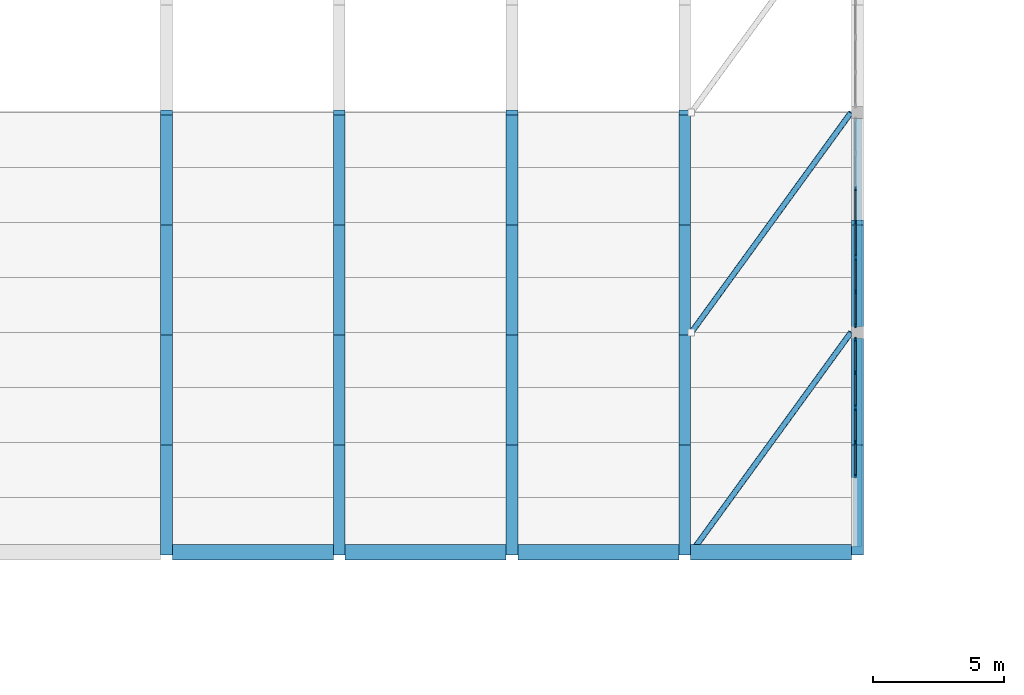
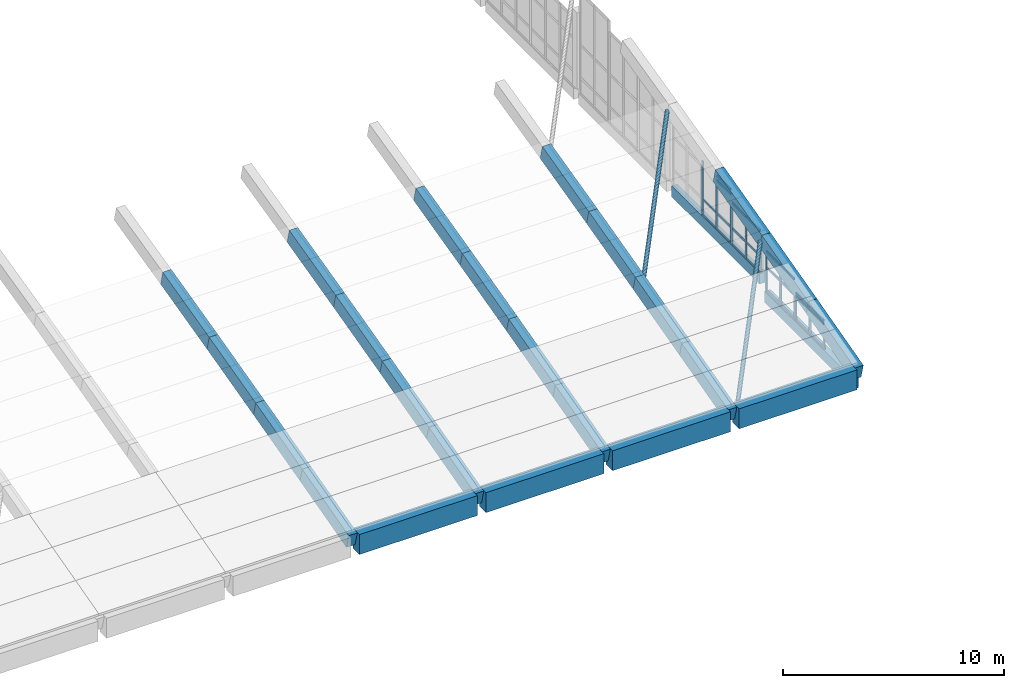
# One storey, part 4 of 78: 38 members, 25 beams, 4 elements without a shape of their own.
"""IFC4 building model written with IfcOpenShell, lengths in metres."""

from ifc_helpers import new_model, si_unit, direction, frame, origin, origin_2d, place, context, subcontext, project, spatial, rectangle, hollow_circle, extrude, material, material_profile, profile_set, type_object, element, aggregate, save


model = new_model("IFC4")

# Units and contexts
model_context = context("Model", 3, precision=1e-05, world=origin(), true_north=direction((0.0, 1.0)))
body_context = subcontext(model_context, "Body", "Model", "MODEL_VIEW")
ifc_project = project(units=[si_unit("LENGTHUNIT", "METRE"), si_unit("AREAUNIT", "SQUARE_METRE"), si_unit("VOLUMEUNIT", "CUBIC_METRE"), si_unit("PLANEANGLEUNIT", "RADIAN"), si_unit("MASSUNIT", "GRAM", prefix="KILO")], contexts=[model_context])

# Site, building, storey
site_placement = place(None, origin())
site = spatial("IfcSite", under=ifc_project, at=site_placement, CompositionType="ELEMENT")
building_placement = place(site_placement, origin())
building = spatial("IfcBuilding", under=site, at=building_placement, Name="Qaldarim Faculty of Natural and Applied Sciences", CompositionType="ELEMENT")
storey_placement = place(building_placement, frame((0.0, 0.0, 18.60009765625)))
storey = spatial("IfcBuildingStorey", under=building, at=storey_placement, Name="L04", CompositionType="ELEMENT", Elevation=18.60009765625)

# Curtain wall, members
ifc_material_1 = material(Name="Anodised aluminium AW-6063", Category="aluminium")
curtain_wall_type_1 = type_object("IfcCurtainWallType", Name="CurtainWallSystem-M1500", PredefinedType="USERDEFINED", material=ifc_material_1)
curtain_wall_1_placement = place(storey_placement, origin())
curtain_wall_1 = element("IfcCurtainWall", 1, at=curtain_wall_1_placement, inside=storey, type_object=curtain_wall_type_1, Name="Curtain wall CW-GABLE-L04-E-Y03-2", ObjectType="STICK CURTAIN WALL", PredefinedType="USERDEFINED")
ifc_material_profile_1 = material_profile(ifc_material_1, rectangle(XDim=0.06005859375, YDim=0.14990234375, at=origin_2d()), Name="ALU-M60x150")
ifc_profile_set_1 = profile_set([ifc_material_profile_1], Name="Anodised aluminium AW-6063")
member_type_1 = type_object("IfcMemberType", Name="Mullion-ALU60x150", PredefinedType="MULLION", material=ifc_profile_set_1)
member_1_placement = place(storey_placement, frame((46.1201171875, 19.715087890625, -0.97998046875), z_axis=(0.0, 0.0, 1.0), x_axis=(-1.0, 0.0, 0.0)))
member_1 = element("IfcMember", 2, at=member_1_placement, type_object=member_type_1, Name="Mullion 1 of CW-GABLE-L04-E-Y03-2", PredefinedType="MULLION", context=body_context, shape_type="SweptSolid", body=[
    extrude(rectangle(XDim=0.06005859375, YDim=0.14990234375, at=origin_2d()), origin(), (0.0, 0.0, 1.0), 1.554931640625),
])
member_2_placement = place(storey_placement, frame((46.1201171875, 21.00244140625, -0.97998046875), z_axis=(0.0, 0.0, 1.0), x_axis=(-1.0, 0.0, 0.0)))
member_2 = element("IfcMember", 3, at=member_2_placement, type_object=member_type_1, Name="Mullion 2 of CW-GABLE-L04-E-Y03-2", PredefinedType="MULLION", context=body_context, shape_type="SweptSolid", body=[
    extrude(rectangle(XDim=0.06005859375, YDim=0.14990234375, at=origin_2d()), origin(), (0.0, 0.0, 1.0), 1.554931640625),
])
member_3_placement = place(storey_placement, frame((46.1201171875, 22.2900390625, -0.97998046875), z_axis=(0.0, 0.0, 1.0), x_axis=(-1.0, 0.0, 0.0)))
member_3 = element("IfcMember", 4, at=member_3_placement, type_object=member_type_1, Name="Mullion 3 of CW-GABLE-L04-E-Y03-2", PredefinedType="MULLION", context=body_context, shape_type="SweptSolid", body=[
    extrude(rectangle(XDim=0.06005859375, YDim=0.14990234375, at=origin_2d()), origin(), (0.0, 0.0, 1.0), 1.554931640625),
])

curtain_wall_2_placement = place(storey_placement, origin())
curtain_wall_2 = element("IfcCurtainWall", 5, at=curtain_wall_2_placement, inside=storey, type_object=curtain_wall_type_1, Name="Curtain wall CW-GABLE-L04-E-Y03-3", ObjectType="STICK CURTAIN WALL", PredefinedType="USERDEFINED")
member_4_placement = place(storey_placement, frame((46.1201171875, 22.364990234375, -0.97998046875), z_axis=(0.0, 0.0, 1.0), x_axis=(-1.0, 0.0, 0.0)))
member_4 = element("IfcMember", 6, at=member_4_placement, type_object=member_type_1, Name="Mullion 1 of CW-GABLE-L04-E-Y03-3", PredefinedType="MULLION", context=body_context, shape_type="SweptSolid", body=[
    extrude(rectangle(XDim=0.06005859375, YDim=0.14990234375, at=origin_2d()), origin(), (0.0, 0.0, 1.0), 2.244873046875),
])
member_5_placement = place(storey_placement, frame((46.1201171875, 23.652587890625, -0.97998046875), z_axis=(0.0, 0.0, 1.0), x_axis=(-1.0, 0.0, 0.0)))
member_5 = element("IfcMember", 7, at=member_5_placement, type_object=member_type_1, Name="Mullion 2 of CW-GABLE-L04-E-Y03-3", PredefinedType="MULLION", context=body_context, shape_type="SweptSolid", body=[
    extrude(rectangle(XDim=0.06005859375, YDim=0.14990234375, at=origin_2d()), origin(), (0.0, 0.0, 1.0), 2.244873046875),
])
member_6_placement = place(storey_placement, frame((46.1201171875, 24.93994140625, -0.97998046875), z_axis=(0.0, 0.0, 1.0), x_axis=(-1.0, 0.0, 0.0)))
member_6 = element("IfcMember", 8, at=member_6_placement, type_object=member_type_1, Name="Mullion 3 of CW-GABLE-L04-E-Y03-3", PredefinedType="MULLION", context=body_context, shape_type="SweptSolid", body=[
    extrude(rectangle(XDim=0.06005859375, YDim=0.14990234375, at=origin_2d()), origin(), (0.0, 0.0, 1.0), 2.244873046875),
])

curtain_wall_type_2 = type_object("IfcCurtainWallType", Name="CurtainWallSystem-M1300", PredefinedType="USERDEFINED", material=ifc_material_1)
curtain_wall_3_placement = place(storey_placement, origin())
curtain_wall_3 = element("IfcCurtainWall", 9, at=curtain_wall_3_placement, inside=storey, type_object=curtain_wall_type_2, Name="Curtain wall CW-GABLE-L04-E-Y04-1", ObjectType="STICK CURTAIN WALL", PredefinedType="USERDEFINED")
member_7_placement = place(storey_placement, frame((46.1201171875, 25.4599609375, -0.260009765625), z_axis=(0.0, 0.0, 1.0), x_axis=(-1.0, 0.0, 0.0)))
member_7 = element("IfcMember", 10, at=member_7_placement, type_object=member_type_1, Name="Mullion 1 of CW-GABLE-L04-E-Y04-1", PredefinedType="MULLION", context=body_context, shape_type="SweptSolid", body=[
    extrude(rectangle(XDim=0.06005859375, YDim=0.14990234375, at=origin_2d()), origin(), (0.0, 0.0, 1.0), 2.31982421875),
])
member_8_placement = place(storey_placement, frame((46.1201171875, 26.74755859375, -0.260009765625), z_axis=(0.0, 0.0, 1.0), x_axis=(-1.0, 0.0, 0.0)))
member_8 = element("IfcMember", 11, at=member_8_placement, type_object=member_type_1, Name="Mullion 2 of CW-GABLE-L04-E-Y04-1", PredefinedType="MULLION", context=body_context, shape_type="SweptSolid", body=[
    extrude(rectangle(XDim=0.06005859375, YDim=0.14990234375, at=origin_2d()), origin(), (0.0, 0.0, 1.0), 2.31982421875),
])
member_9_placement = place(storey_placement, frame((46.1201171875, 28.034912109375, -0.260009765625), z_axis=(0.0, 0.0, 1.0), x_axis=(-1.0, 0.0, 0.0)))
member_9 = element("IfcMember", 12, at=member_9_placement, type_object=member_type_1, Name="Mullion 3 of CW-GABLE-L04-E-Y04-1", PredefinedType="MULLION", context=body_context, shape_type="SweptSolid", body=[
    extrude(rectangle(XDim=0.06005859375, YDim=0.14990234375, at=origin_2d()), origin(), (0.0, 0.0, 1.0), 2.31982421875),
])

curtain_wall_4_placement = place(storey_placement, origin())
curtain_wall_4 = element("IfcCurtainWall", 13, at=curtain_wall_4_placement, inside=storey, type_object=curtain_wall_type_2, Name="Curtain wall CW-GABLE-L04-E-Y04-2", ObjectType="STICK CURTAIN WALL", PredefinedType="USERDEFINED")
member_10_placement = place(storey_placement, frame((46.1201171875, 28.114990234375, -0.260009765625), z_axis=(0.0, 0.0, 1.0), x_axis=(-1.0, 0.0, 0.0)))
member_10 = element("IfcMember", 14, at=member_10_placement, type_object=member_type_1, Name="Mullion 1 of CW-GABLE-L04-E-Y04-2", PredefinedType="MULLION", context=body_context, shape_type="SweptSolid", body=[
    extrude(rectangle(XDim=0.06005859375, YDim=0.14990234375, at=origin_2d()), origin(), (0.0, 0.0, 1.0), 2.989990234375),
])
member_11_placement = place(storey_placement, frame((46.1201171875, 29.402587890625, -0.260009765625), z_axis=(0.0, 0.0, 1.0), x_axis=(-1.0, 0.0, 0.0)))
member_11 = element("IfcMember", 15, at=member_11_placement, type_object=member_type_1, Name="Mullion 2 of CW-GABLE-L04-E-Y04-2", PredefinedType="MULLION", context=body_context, shape_type="SweptSolid", body=[
    extrude(rectangle(XDim=0.06005859375, YDim=0.14990234375, at=origin_2d()), origin(), (0.0, 0.0, 1.0), 2.989990234375),
])
member_12_placement = place(storey_placement, frame((46.1201171875, 30.68994140625, -0.260009765625), z_axis=(0.0, 0.0, 1.0), x_axis=(-1.0, 0.0, 0.0)))
member_12 = element("IfcMember", 16, at=member_12_placement, type_object=member_type_1, Name="Mullion 3 of CW-GABLE-L04-E-Y04-2", PredefinedType="MULLION", context=body_context, shape_type="SweptSolid", body=[
    extrude(rectangle(XDim=0.06005859375, YDim=0.14990234375, at=origin_2d()), origin(), (0.0, 0.0, 1.0), 2.989990234375),
])

# Beams
ifc_material_2 = material(Name="Concrete C50/60", Category="concrete")
ifc_material_profile_2 = material_profile(ifc_material_2, rectangle(XDim=0.449951171875, YDim=0.800048828125, at=origin_2d()), Name="RC-RIB450x800")
ifc_profile_set_2 = profile_set([ifc_material_profile_2], Name="Concrete C50/60")
beam_type_1 = type_object("IfcBeamType", Name="ShellArchRib-RC450x800", PredefinedType="BEAM", material=ifc_profile_set_2)
beam_1_placement = place(storey_placement, frame((19.800048828125, 16.800048828125, -0.56005859375), z_axis=(0.0, 0.965947299715, 0.258738891884), x_axis=(-1.0, 0.0, 0.0)))
element("IfcBeam", 17, at=beam_1_placement, inside=storey, type_object=beam_type_1, Name="Shell arch rib 4 S segment 1", PredefinedType="BEAM", context=body_context, shape_type="SweptSolid", body=[
    extrude(rectangle(XDim=0.449951171875, YDim=0.800048828125, at=origin_2d()), origin(), (0.0, 0.0, 1.0), 4.347900390625),
])
beam_2_placement = place(storey_placement, frame((19.800048828125, 21.0, 0.56494140625), z_axis=(0.0, 0.967379770431, 0.253330574074), x_axis=(-1.0, 0.0, 0.0)))
element("IfcBeam", 18, at=beam_2_placement, inside=storey, type_object=beam_type_1, Name="Shell arch rib 4 S segment 2", PredefinedType="BEAM", context=body_context, shape_type="SweptSolid", body=[
    extrude(rectangle(XDim=0.449951171875, YDim=0.800048828125, at=origin_2d()), origin(), (0.0, 0.0, 1.0), 4.341552734375),
])
beam_3_placement = place(storey_placement, frame((19.800048828125, 25.199951171875, 1.664794921875), z_axis=(0.0, 0.968758982229, 0.248004101479), x_axis=(-1.0, 0.0, 0.0)))
element("IfcBeam", 19, at=beam_3_placement, inside=storey, type_object=beam_type_1, Name="Shell arch rib 4 S segment 3", PredefinedType="BEAM", context=body_context, shape_type="SweptSolid", body=[
    extrude(rectangle(XDim=0.449951171875, YDim=0.800048828125, at=origin_2d()), origin(), (0.0, 0.0, 1.0), 4.33544921875),
])
beam_4_placement = place(storey_placement, frame((19.800048828125, 29.39990234375, 2.739990234375), z_axis=(0.0, 0.970697526179, 0.240304624738), x_axis=(-1.0, 0.0, 0.0)))
element("IfcBeam", 20, at=beam_4_placement, inside=storey, type_object=beam_type_1, Name="Shell arch rib 4 S segment 4", PredefinedType="BEAM", context=body_context, shape_type="SweptSolid", body=[
    extrude(rectangle(XDim=0.449951171875, YDim=0.800048828125, at=origin_2d()), origin(), (0.0, 0.0, 1.0), 4.326904296875),
])
beam_5_placement = place(storey_placement, frame((26.39990234375, 16.800048828125, -0.56005859375), z_axis=(0.0, 0.965947299715, 0.258738891884), x_axis=(-1.0, 0.0, 0.0)))
element("IfcBeam", 21, at=beam_5_placement, inside=storey, type_object=beam_type_1, Name="Shell arch rib 5 S segment 1", PredefinedType="BEAM", context=body_context, shape_type="SweptSolid", body=[
    extrude(rectangle(XDim=0.449951171875, YDim=0.800048828125, at=origin_2d()), origin(), (0.0, 0.0, 1.0), 4.347900390625),
])
beam_6_placement = place(storey_placement, frame((26.39990234375, 21.0, 0.56494140625), z_axis=(0.0, 0.967379770431, 0.253330574074), x_axis=(-1.0, 0.0, 0.0)))
element("IfcBeam", 22, at=beam_6_placement, inside=storey, type_object=beam_type_1, Name="Shell arch rib 5 S segment 2", PredefinedType="BEAM", context=body_context, shape_type="SweptSolid", body=[
    extrude(rectangle(XDim=0.449951171875, YDim=0.800048828125, at=origin_2d()), origin(), (0.0, 0.0, 1.0), 4.341552734375),
])
beam_7_placement = place(storey_placement, frame((26.39990234375, 25.199951171875, 1.664794921875), z_axis=(0.0, 0.968758982229, 0.248004101479), x_axis=(-1.0, 0.0, 0.0)))
element("IfcBeam", 23, at=beam_7_placement, inside=storey, type_object=beam_type_1, Name="Shell arch rib 5 S segment 3", PredefinedType="BEAM", context=body_context, shape_type="SweptSolid", body=[
    extrude(rectangle(XDim=0.449951171875, YDim=0.800048828125, at=origin_2d()), origin(), (0.0, 0.0, 1.0), 4.33544921875),
])
beam_8_placement = place(storey_placement, frame((26.39990234375, 29.39990234375, 2.739990234375), z_axis=(0.0, 0.970697526179, 0.240304624738), x_axis=(-1.0, 0.0, 0.0)))
element("IfcBeam", 24, at=beam_8_placement, inside=storey, type_object=beam_type_1, Name="Shell arch rib 5 S segment 4", PredefinedType="BEAM", context=body_context, shape_type="SweptSolid", body=[
    extrude(rectangle(XDim=0.449951171875, YDim=0.800048828125, at=origin_2d()), origin(), (0.0, 0.0, 1.0), 4.326904296875),
])
beam_9_placement = place(storey_placement, frame((33.0, 16.800048828125, -0.56005859375), z_axis=(0.0, 0.965947299715, 0.258738891884), x_axis=(-1.0, 0.0, 0.0)))
element("IfcBeam", 25, at=beam_9_placement, inside=storey, type_object=beam_type_1, Name="Shell arch rib 6 S segment 1", PredefinedType="BEAM", context=body_context, shape_type="SweptSolid", body=[
    extrude(rectangle(XDim=0.449951171875, YDim=0.800048828125, at=origin_2d()), origin(), (0.0, 0.0, 1.0), 4.347900390625),
])
beam_10_placement = place(storey_placement, frame((33.0, 21.0, 0.56494140625), z_axis=(0.0, 0.967379770431, 0.253330574074), x_axis=(-1.0, 0.0, 0.0)))
element("IfcBeam", 26, at=beam_10_placement, inside=storey, type_object=beam_type_1, Name="Shell arch rib 6 S segment 2", PredefinedType="BEAM", context=body_context, shape_type="SweptSolid", body=[
    extrude(rectangle(XDim=0.449951171875, YDim=0.800048828125, at=origin_2d()), origin(), (0.0, 0.0, 1.0), 4.341552734375),
])
beam_11_placement = place(storey_placement, frame((33.0, 25.199951171875, 1.664794921875), z_axis=(0.0, 0.968758982229, 0.248004101479), x_axis=(-1.0, 0.0, 0.0)))
element("IfcBeam", 27, at=beam_11_placement, inside=storey, type_object=beam_type_1, Name="Shell arch rib 6 S segment 3", PredefinedType="BEAM", context=body_context, shape_type="SweptSolid", body=[
    extrude(rectangle(XDim=0.449951171875, YDim=0.800048828125, at=origin_2d()), origin(), (0.0, 0.0, 1.0), 4.33544921875),
])
beam_12_placement = place(storey_placement, frame((33.0, 29.39990234375, 2.739990234375), z_axis=(0.0, 0.970697526179, 0.240304624738), x_axis=(-1.0, 0.0, 0.0)))
element("IfcBeam", 28, at=beam_12_placement, inside=storey, type_object=beam_type_1, Name="Shell arch rib 6 S segment 4", PredefinedType="BEAM", context=body_context, shape_type="SweptSolid", body=[
    extrude(rectangle(XDim=0.449951171875, YDim=0.800048828125, at=origin_2d()), origin(), (0.0, 0.0, 1.0), 4.326904296875),
])
beam_13_placement = place(storey_placement, frame((39.60009765625, 16.800048828125, -0.56005859375), z_axis=(0.0, 0.965947299715, 0.258738891884), x_axis=(-1.0, 0.0, 0.0)))
element("IfcBeam", 29, at=beam_13_placement, inside=storey, type_object=beam_type_1, Name="Shell arch rib 7 S segment 1", PredefinedType="BEAM", context=body_context, shape_type="SweptSolid", body=[
    extrude(rectangle(XDim=0.449951171875, YDim=0.800048828125, at=origin_2d()), origin(), (0.0, 0.0, 1.0), 4.347900390625),
])
beam_14_placement = place(storey_placement, frame((39.60009765625, 21.0, 0.56494140625), z_axis=(0.0, 0.967379770431, 0.253330574074), x_axis=(-1.0, 0.0, 0.0)))
element("IfcBeam", 30, at=beam_14_placement, inside=storey, type_object=beam_type_1, Name="Shell arch rib 7 S segment 2", PredefinedType="BEAM", context=body_context, shape_type="SweptSolid", body=[
    extrude(rectangle(XDim=0.449951171875, YDim=0.800048828125, at=origin_2d()), origin(), (0.0, 0.0, 1.0), 4.341552734375),
])
beam_15_placement = place(storey_placement, frame((39.60009765625, 25.199951171875, 1.664794921875), z_axis=(0.0, 0.968758982229, 0.248004101479), x_axis=(-1.0, 0.0, 0.0)))
element("IfcBeam", 31, at=beam_15_placement, inside=storey, type_object=beam_type_1, Name="Shell arch rib 7 S segment 3", PredefinedType="BEAM", context=body_context, shape_type="SweptSolid", body=[
    extrude(rectangle(XDim=0.449951171875, YDim=0.800048828125, at=origin_2d()), origin(), (0.0, 0.0, 1.0), 4.33544921875),
])
beam_16_placement = place(storey_placement, frame((39.60009765625, 29.39990234375, 2.739990234375), z_axis=(0.0, 0.970697526179, 0.240304624738), x_axis=(-1.0, 0.0, 0.0)))
element("IfcBeam", 32, at=beam_16_placement, inside=storey, type_object=beam_type_1, Name="Shell arch rib 7 S segment 4", PredefinedType="BEAM", context=body_context, shape_type="SweptSolid", body=[
    extrude(rectangle(XDim=0.449951171875, YDim=0.800048828125, at=origin_2d()), origin(), (0.0, 0.0, 1.0), 4.326904296875),
])
beam_17_placement = place(storey_placement, frame((46.199951171875, 16.800048828125, -0.56005859375), z_axis=(0.0, 0.965947299715, 0.258738891884), x_axis=(-1.0, 0.0, 0.0)))
element("IfcBeam", 33, at=beam_17_placement, inside=storey, type_object=beam_type_1, Name="Shell arch rib 8 S segment 1", PredefinedType="BEAM", context=body_context, shape_type="SweptSolid", body=[
    extrude(rectangle(XDim=0.449951171875, YDim=0.800048828125, at=origin_2d()), origin(), (0.0, 0.0, 1.0), 4.347900390625),
])
beam_18_placement = place(storey_placement, frame((46.199951171875, 21.0, 0.56494140625), z_axis=(0.0, 0.967379770431, 0.253330574074), x_axis=(-1.0, 0.0, 0.0)))
element("IfcBeam", 34, at=beam_18_placement, inside=storey, type_object=beam_type_1, Name="Shell arch rib 8 S segment 2", PredefinedType="BEAM", context=body_context, shape_type="SweptSolid", body=[
    extrude(rectangle(XDim=0.449951171875, YDim=0.800048828125, at=origin_2d()), origin(), (0.0, 0.0, 1.0), 4.341552734375),
])
beam_19_placement = place(storey_placement, frame((46.199951171875, 25.199951171875, 1.664794921875), z_axis=(0.0, 0.968758982229, 0.248004101479), x_axis=(-1.0, 0.0, 0.0)))
element("IfcBeam", 35, at=beam_19_placement, inside=storey, type_object=beam_type_1, Name="Shell arch rib 8 S segment 3", PredefinedType="BEAM", context=body_context, shape_type="SweptSolid", body=[
    extrude(rectangle(XDim=0.449951171875, YDim=0.800048828125, at=origin_2d()), origin(), (0.0, 0.0, 1.0), 4.33544921875),
])
ifc_material_profile_3 = material_profile(ifc_material_2, rectangle(XDim=0.60009765625, YDim=1.10009765625, at=origin_2d()), Name="RC-EB600x1100")
ifc_profile_set_3 = profile_set([ifc_material_profile_3], Name="Concrete C50/60")
beam_type_2 = type_object("IfcBeamType", Name="ShellEdgeBeam-RC600x1100", PredefinedType="SPANDREL", material=ifc_profile_set_3)
beam_20_placement = place(storey_placement, frame((20.02490234375, 16.800048828125, -0.7001953125), z_axis=(1.0, 0.0, 0.0), x_axis=(0.0, 1.0, 0.0)))
element("IfcBeam", 36, at=beam_20_placement, inside=storey, type_object=beam_type_2, Name="Shell springing edge beam S bay 4", PredefinedType="SPANDREL", context=body_context, shape_type="SweptSolid", body=[
    extrude(rectangle(XDim=0.60009765625, YDim=1.10009765625, at=origin_2d()), origin(), (0.0, 0.0, 1.0), 6.150146484375),
])
for number, where, z_axis, x_axis, name in (
    (37, (26.625, 16.800048828125, -0.7001953125), (1.0, 0.0, 0.0), (0.0, 1.0, 0.0), "Shell springing edge beam S bay 5"),
    (38, (33.22509765625, 16.800048828125, -0.7001953125), (1.0, 0.0, 0.0), (0.0, 1.0, 0.0), "Shell springing edge beam S bay 6"),
):
    element("IfcBeam", number, at=place(storey_placement, frame(where, z_axis=z_axis, x_axis=x_axis)), inside=storey, type_object=beam_type_2, Name=name, PredefinedType="SPANDREL", context=body_context, shape_type="SweptSolid", body=[
        extrude(rectangle(XDim=0.60009765625, YDim=1.10009765625, at=origin_2d()), origin(), (0.0, 0.0, 1.0), 6.14990234375),
    ])
beam_21_placement = place(storey_placement, frame((39.824951171875, 16.800048828125, -0.7001953125), z_axis=(1.0, 0.0, 0.0), x_axis=(0.0, 1.0, 0.0)))
element("IfcBeam", 39, at=beam_21_placement, inside=storey, type_object=beam_type_2, Name="Shell springing edge beam S bay 7", PredefinedType="SPANDREL", context=body_context, shape_type="SweptSolid", body=[
    extrude(rectangle(XDim=0.60009765625, YDim=1.10009765625, at=origin_2d()), origin(), (0.0, 0.0, 1.0), 6.150146484375),
])

# Members
ifc_material_3 = material(Name="Structural steel S355", Category="steel")
ifc_material_profile_4 = material_profile(ifc_material_3, hollow_circle(Radius=0.109619140625, WallThickness=0.012451171875, at=origin_2d()), Name="CHS 219.1x12.5")
ifc_profile_set_4 = profile_set([ifc_material_profile_4], Name="Structural steel S355")
member_type_2 = type_object("IfcMemberType", Name="ShellStrut-CHS219x12-5", PredefinedType="STRUT", material=ifc_profile_set_4)
member_13_placement = place(storey_placement, frame((39.85009765625, 16.800048828125, -0.56005859375), z_axis=(0.574547012526, 0.791189294096, 0.209559612774), x_axis=(-0.809155894574, 0.587594025052, 0.0)))
element("IfcMember", 40, at=member_13_placement, inside=storey, type_object=member_type_2, Name="Shell wind strut bay 7 S1", PredefinedType="STRUT", context=body_context, shape_type="SweptSolid", body=[
    extrude(hollow_circle(Radius=0.109619140625, WallThickness=0.012451171875, at=origin_2d()), origin(), (0.0, 0.0, 1.0), 10.61669921875),
])
member_14_placement = place(storey_placement, frame((39.85009765625, 25.199951171875, 1.664794921875), z_axis=(0.575755524521, 0.792876539211, 0.199630582707), x_axis=(-0.809164014281, 0.587582843515, 0.0)))
element("IfcMember", 41, at=member_14_placement, inside=storey, type_object=member_type_2, Name="Shell wind strut bay 7 S2", PredefinedType="STRUT", context=body_context, shape_type="SweptSolid", body=[
    extrude(hollow_circle(Radius=0.109619140625, WallThickness=0.012451171875, at=origin_2d()), origin(), (0.0, 0.0, 1.0), 10.594482421875),
])

# Beams
ifc_material_4 = material(Name="Precast concrete C40/50", Category="concrete")
ifc_material_profile_5 = material_profile(ifc_material_4, rectangle(XDim=0.300048828125, YDim=0.60009765625, at=origin_2d()), Name="RC-SP300x600")
ifc_profile_set_5 = profile_set([ifc_material_profile_5], Name="Precast concrete C40/50")
beam_type_3 = type_object("IfcBeamType", Name="SpandrelBeam-RC300x600", PredefinedType="SPANDREL", material=ifc_profile_set_5)
beam_22_placement = place(storey_placement, frame((46.199951171875, 17.02490234375, -1.280029296875), z_axis=(0.0, 1.0, 0.0), x_axis=(-1.0, 0.0, 0.0)))
element("IfcBeam", 42, at=beam_22_placement, inside=storey, type_object=beam_type_3, Name="Shell gable tie beam L03 X08/Y03-Y04", PredefinedType="SPANDREL", context=body_context, shape_type="SweptSolid", body=[
    extrude(rectangle(XDim=0.300048828125, YDim=0.60009765625, at=origin_2d()), origin(), (0.0, 0.0, 1.0), 7.9501953125),
])
beam_23_placement = place(storey_placement, frame((46.199951171875, 25.425048828125, -0.56005859375), z_axis=(0.0, 1.0, 0.0), x_axis=(-1.0, 0.0, 0.0)))
element("IfcBeam", 43, at=beam_23_placement, inside=storey, type_object=beam_type_3, Name="Shell gable tie beam L03 X08/Y04-Y05", PredefinedType="SPANDREL", context=body_context, shape_type="SweptSolid", body=[
    extrude(rectangle(XDim=0.300048828125, YDim=0.60009765625, at=origin_2d()), origin(), (0.0, 0.0, 1.0), 7.949951171875),
])

# Member
ifc_material_profile_6 = material_profile(ifc_material_1, rectangle(XDim=0.06005859375, YDim=0.1201171875, at=origin_2d()), Name="ALU-T60x120")
ifc_profile_set_6 = profile_set([ifc_material_profile_6], Name="Anodised aluminium AW-6063")
member_type_3 = type_object("IfcMemberType", Name="Transom-ALU60x120", PredefinedType="USERDEFINED", material=ifc_profile_set_6)
member_15_placement = place(storey_placement, frame((46.1201171875, 19.7451171875, -0.9501953125), z_axis=(0.0, 1.0, 0.0), x_axis=(-1.0, 0.0, 0.0)))
member_15 = element("IfcMember", 44, at=member_15_placement, type_object=member_type_3, Name="Transom 1-1 of CW-GABLE-L04-E-Y03-2", ObjectType="TRANSOM", PredefinedType="USERDEFINED", context=body_context, shape_type="SweptSolid", body=[
    extrude(rectangle(XDim=0.06005859375, YDim=0.1201171875, at=origin_2d()), origin(), (0.0, 0.0, 1.0), 1.227294921875),
])

member_16_placement = place(storey_placement, frame((46.1201171875, 19.7451171875, 0.369873046875), z_axis=(0.0, 1.0, 0.0), x_axis=(-1.0, 0.0, 0.0)))
member_16 = element("IfcMember", 45, at=member_16_placement, type_object=member_type_3, Name="Transom 1-2 of CW-GABLE-L04-E-Y03-2", ObjectType="TRANSOM", PredefinedType="USERDEFINED", context=body_context, shape_type="SweptSolid", body=[
    extrude(rectangle(XDim=0.06005859375, YDim=0.1201171875, at=origin_2d()), origin(), (0.0, 0.0, 1.0), 1.227294921875),
])

member_17_placement = place(storey_placement, frame((46.1201171875, 19.7451171875, 0.544921875), z_axis=(0.0, 1.0, 0.0), x_axis=(-1.0, 0.0, 0.0)))
member_17 = element("IfcMember", 46, at=member_17_placement, type_object=member_type_3, Name="Transom 1-3 of CW-GABLE-L04-E-Y03-2", ObjectType="TRANSOM", PredefinedType="USERDEFINED", context=body_context, shape_type="SweptSolid", body=[
    extrude(rectangle(XDim=0.06005859375, YDim=0.1201171875, at=origin_2d()), origin(), (0.0, 0.0, 1.0), 1.227294921875),
])

member_18_placement = place(storey_placement, frame((46.1201171875, 21.032470703125, -0.9501953125), z_axis=(0.0, 1.0, 0.0), x_axis=(-1.0, 0.0, 0.0)))
member_18 = element("IfcMember", 47, at=member_18_placement, type_object=member_type_3, Name="Transom 2-1 of CW-GABLE-L04-E-Y03-2", ObjectType="TRANSOM", PredefinedType="USERDEFINED", context=body_context, shape_type="SweptSolid", body=[
    extrude(rectangle(XDim=0.06005859375, YDim=0.1201171875, at=origin_2d()), origin(), (0.0, 0.0, 1.0), 1.2275390625),
])

member_19_placement = place(storey_placement, frame((46.1201171875, 21.032470703125, 0.369873046875), z_axis=(0.0, 1.0, 0.0), x_axis=(-1.0, 0.0, 0.0)))
member_19 = element("IfcMember", 48, at=member_19_placement, type_object=member_type_3, Name="Transom 2-2 of CW-GABLE-L04-E-Y03-2", ObjectType="TRANSOM", PredefinedType="USERDEFINED", context=body_context, shape_type="SweptSolid", body=[
    extrude(rectangle(XDim=0.06005859375, YDim=0.1201171875, at=origin_2d()), origin(), (0.0, 0.0, 1.0), 1.2275390625),
])

member_20_placement = place(storey_placement, frame((46.1201171875, 21.032470703125, 0.544921875), z_axis=(0.0, 1.0, 0.0), x_axis=(-1.0, 0.0, 0.0)))
member_20 = element("IfcMember", 49, at=member_20_placement, type_object=member_type_3, Name="Transom 2-3 of CW-GABLE-L04-E-Y03-2", ObjectType="TRANSOM", PredefinedType="USERDEFINED", context=body_context, shape_type="SweptSolid", body=[
    extrude(rectangle(XDim=0.06005859375, YDim=0.1201171875, at=origin_2d()), origin(), (0.0, 0.0, 1.0), 1.2275390625),
])

aggregate(curtain_wall_1, [member_1, member_2, member_3, member_15, member_16, member_17, member_18, member_19, member_20])

member_21_placement = place(storey_placement, frame((46.1201171875, 22.39501953125, -0.9501953125), z_axis=(0.0, 1.0, 0.0), x_axis=(-1.0, 0.0, 0.0)))
member_21 = element("IfcMember", 50, at=member_21_placement, type_object=member_type_3, Name="Transom 1-1 of CW-GABLE-L04-E-Y03-3", ObjectType="TRANSOM", PredefinedType="USERDEFINED", context=body_context, shape_type="SweptSolid", body=[
    extrude(rectangle(XDim=0.06005859375, YDim=0.1201171875, at=origin_2d()), origin(), (0.0, 0.0, 1.0), 1.2275390625),
])

member_22_placement = place(storey_placement, frame((46.1201171875, 22.39501953125, 0.369873046875), z_axis=(0.0, 1.0, 0.0), x_axis=(-1.0, 0.0, 0.0)))
member_22 = element("IfcMember", 51, at=member_22_placement, type_object=member_type_3, Name="Transom 1-2 of CW-GABLE-L04-E-Y03-3", ObjectType="TRANSOM", PredefinedType="USERDEFINED", context=body_context, shape_type="SweptSolid", body=[
    extrude(rectangle(XDim=0.06005859375, YDim=0.1201171875, at=origin_2d()), origin(), (0.0, 0.0, 1.0), 1.2275390625),
])

member_23_placement = place(storey_placement, frame((46.1201171875, 22.39501953125, 1.23486328125), z_axis=(0.0, 1.0, 0.0), x_axis=(-1.0, 0.0, 0.0)))
member_23 = element("IfcMember", 52, at=member_23_placement, type_object=member_type_3, Name="Transom 1-3 of CW-GABLE-L04-E-Y03-3", ObjectType="TRANSOM", PredefinedType="USERDEFINED", context=body_context, shape_type="SweptSolid", body=[
    extrude(rectangle(XDim=0.06005859375, YDim=0.1201171875, at=origin_2d()), origin(), (0.0, 0.0, 1.0), 1.2275390625),
])

member_24_placement = place(storey_placement, frame((46.1201171875, 23.6826171875, -0.9501953125), z_axis=(0.0, 1.0, 0.0), x_axis=(-1.0, 0.0, 0.0)))
member_24 = element("IfcMember", 53, at=member_24_placement, type_object=member_type_3, Name="Transom 2-1 of CW-GABLE-L04-E-Y03-3", ObjectType="TRANSOM", PredefinedType="USERDEFINED", context=body_context, shape_type="SweptSolid", body=[
    extrude(rectangle(XDim=0.06005859375, YDim=0.1201171875, at=origin_2d()), origin(), (0.0, 0.0, 1.0), 1.227294921875),
])

member_25_placement = place(storey_placement, frame((46.1201171875, 23.6826171875, 0.369873046875), z_axis=(0.0, 1.0, 0.0), x_axis=(-1.0, 0.0, 0.0)))
member_25 = element("IfcMember", 54, at=member_25_placement, type_object=member_type_3, Name="Transom 2-2 of CW-GABLE-L04-E-Y03-3", ObjectType="TRANSOM", PredefinedType="USERDEFINED", context=body_context, shape_type="SweptSolid", body=[
    extrude(rectangle(XDim=0.06005859375, YDim=0.1201171875, at=origin_2d()), origin(), (0.0, 0.0, 1.0), 1.227294921875),
])

member_26_placement = place(storey_placement, frame((46.1201171875, 23.6826171875, 1.23486328125), z_axis=(0.0, 1.0, 0.0), x_axis=(-1.0, 0.0, 0.0)))
member_26 = element("IfcMember", 55, at=member_26_placement, type_object=member_type_3, Name="Transom 2-3 of CW-GABLE-L04-E-Y03-3", ObjectType="TRANSOM", PredefinedType="USERDEFINED", context=body_context, shape_type="SweptSolid", body=[
    extrude(rectangle(XDim=0.06005859375, YDim=0.1201171875, at=origin_2d()), origin(), (0.0, 0.0, 1.0), 1.227294921875),
])

aggregate(curtain_wall_2, [member_4, member_5, member_6, member_21, member_22, member_23, member_24, member_25, member_26])

member_27_placement = place(storey_placement, frame((46.1201171875, 25.489990234375, -0.22998046875), z_axis=(0.0, 1.0, 0.0), x_axis=(-1.0, 0.0, 0.0)))
member_27 = element("IfcMember", 56, at=member_27_placement, type_object=member_type_3, Name="Transom 1-1 of CW-GABLE-L04-E-Y04-1", ObjectType="TRANSOM", PredefinedType="USERDEFINED", context=body_context, shape_type="SweptSolid", body=[
    extrude(rectangle(XDim=0.06005859375, YDim=0.1201171875, at=origin_2d()), origin(), (0.0, 0.0, 1.0), 1.2275390625),
])

member_28_placement = place(storey_placement, frame((46.1201171875, 25.489990234375, 0.639892578125), z_axis=(0.0, 1.0, 0.0), x_axis=(-1.0, 0.0, 0.0)))
member_28 = element("IfcMember", 57, at=member_28_placement, type_object=member_type_3, Name="Transom 1-2 of CW-GABLE-L04-E-Y04-1", ObjectType="TRANSOM", PredefinedType="USERDEFINED", context=body_context, shape_type="SweptSolid", body=[
    extrude(rectangle(XDim=0.06005859375, YDim=0.1201171875, at=origin_2d()), origin(), (0.0, 0.0, 1.0), 1.2275390625),
])

member_29_placement = place(storey_placement, frame((46.1201171875, 25.489990234375, 2.02978515625), z_axis=(0.0, 1.0, 0.0), x_axis=(-1.0, 0.0, 0.0)))
member_29 = element("IfcMember", 58, at=member_29_placement, type_object=member_type_3, Name="Transom 1-3 of CW-GABLE-L04-E-Y04-1", ObjectType="TRANSOM", PredefinedType="USERDEFINED", context=body_context, shape_type="SweptSolid", body=[
    extrude(rectangle(XDim=0.06005859375, YDim=0.1201171875, at=origin_2d()), origin(), (0.0, 0.0, 1.0), 1.2275390625),
])

member_30_placement = place(storey_placement, frame((46.1201171875, 26.777587890625, -0.22998046875), z_axis=(0.0, 1.0, 0.0), x_axis=(-1.0, 0.0, 0.0)))
member_30 = element("IfcMember", 59, at=member_30_placement, type_object=member_type_3, Name="Transom 2-1 of CW-GABLE-L04-E-Y04-1", ObjectType="TRANSOM", PredefinedType="USERDEFINED", context=body_context, shape_type="SweptSolid", body=[
    extrude(rectangle(XDim=0.06005859375, YDim=0.1201171875, at=origin_2d()), origin(), (0.0, 0.0, 1.0), 1.227294921875),
])

member_31_placement = place(storey_placement, frame((46.1201171875, 26.777587890625, 0.639892578125), z_axis=(0.0, 1.0, 0.0), x_axis=(-1.0, 0.0, 0.0)))
member_31 = element("IfcMember", 60, at=member_31_placement, type_object=member_type_3, Name="Transom 2-2 of CW-GABLE-L04-E-Y04-1", ObjectType="TRANSOM", PredefinedType="USERDEFINED", context=body_context, shape_type="SweptSolid", body=[
    extrude(rectangle(XDim=0.06005859375, YDim=0.1201171875, at=origin_2d()), origin(), (0.0, 0.0, 1.0), 1.227294921875),
])

member_32_placement = place(storey_placement, frame((46.1201171875, 26.777587890625, 2.02978515625), z_axis=(0.0, 1.0, 0.0), x_axis=(-1.0, 0.0, 0.0)))
member_32 = element("IfcMember", 61, at=member_32_placement, type_object=member_type_3, Name="Transom 2-3 of CW-GABLE-L04-E-Y04-1", ObjectType="TRANSOM", PredefinedType="USERDEFINED", context=body_context, shape_type="SweptSolid", body=[
    extrude(rectangle(XDim=0.06005859375, YDim=0.1201171875, at=origin_2d()), origin(), (0.0, 0.0, 1.0), 1.227294921875),
])

aggregate(curtain_wall_3, [member_7, member_8, member_9, member_27, member_28, member_29, member_30, member_31, member_32])

member_33_placement = place(storey_placement, frame((46.1201171875, 28.14501953125, -0.22998046875), z_axis=(0.0, 1.0, 0.0), x_axis=(-1.0, 0.0, 0.0)))
member_33 = element("IfcMember", 62, at=member_33_placement, type_object=member_type_3, Name="Transom 1-1 of CW-GABLE-L04-E-Y04-2", ObjectType="TRANSOM", PredefinedType="USERDEFINED", context=body_context, shape_type="SweptSolid", body=[
    extrude(rectangle(XDim=0.06005859375, YDim=0.1201171875, at=origin_2d()), origin(), (0.0, 0.0, 1.0), 1.2275390625),
])

member_34_placement = place(storey_placement, frame((46.1201171875, 28.14501953125, 0.639892578125), z_axis=(0.0, 1.0, 0.0), x_axis=(-1.0, 0.0, 0.0)))
member_34 = element("IfcMember", 63, at=member_34_placement, type_object=member_type_3, Name="Transom 1-2 of CW-GABLE-L04-E-Y04-2", ObjectType="TRANSOM", PredefinedType="USERDEFINED", context=body_context, shape_type="SweptSolid", body=[
    extrude(rectangle(XDim=0.06005859375, YDim=0.1201171875, at=origin_2d()), origin(), (0.0, 0.0, 1.0), 1.2275390625),
])

member_35_placement = place(storey_placement, frame((46.1201171875, 28.14501953125, 2.43994140625), z_axis=(0.0, 1.0, 0.0), x_axis=(-1.0, 0.0, 0.0)))
member_35 = element("IfcMember", 64, at=member_35_placement, type_object=member_type_3, Name="Transom 1-3 of CW-GABLE-L04-E-Y04-2", ObjectType="TRANSOM", PredefinedType="USERDEFINED", context=body_context, shape_type="SweptSolid", body=[
    extrude(rectangle(XDim=0.06005859375, YDim=0.1201171875, at=origin_2d()), origin(), (0.0, 0.0, 1.0), 1.2275390625),
])

member_36_placement = place(storey_placement, frame((46.1201171875, 28.14501953125, 2.699951171875), z_axis=(0.0, 1.0, 0.0), x_axis=(-1.0, 0.0, 0.0)))
member_36 = element("IfcMember", 65, at=member_36_placement, type_object=member_type_3, Name="Transom 1-4 of CW-GABLE-L04-E-Y04-2", ObjectType="TRANSOM", PredefinedType="USERDEFINED", context=body_context, shape_type="SweptSolid", body=[
    extrude(rectangle(XDim=0.06005859375, YDim=0.1201171875, at=origin_2d()), origin(), (0.0, 0.0, 1.0), 1.2275390625),
])

member_37_placement = place(storey_placement, frame((46.1201171875, 29.4326171875, -0.22998046875), z_axis=(0.0, 1.0, 0.0), x_axis=(-1.0, 0.0, 0.0)))
member_37 = element("IfcMember", 66, at=member_37_placement, type_object=member_type_3, Name="Transom 2-1 of CW-GABLE-L04-E-Y04-2", ObjectType="TRANSOM", PredefinedType="USERDEFINED", context=body_context, shape_type="SweptSolid", body=[
    extrude(rectangle(XDim=0.06005859375, YDim=0.1201171875, at=origin_2d()), origin(), (0.0, 0.0, 1.0), 1.227294921875),
])

member_38_placement = place(storey_placement, frame((46.1201171875, 29.4326171875, 0.639892578125), z_axis=(0.0, 1.0, 0.0), x_axis=(-1.0, 0.0, 0.0)))
member_38 = element("IfcMember", 67, at=member_38_placement, type_object=member_type_3, Name="Transom 2-2 of CW-GABLE-L04-E-Y04-2", ObjectType="TRANSOM", PredefinedType="USERDEFINED", context=body_context, shape_type="SweptSolid", body=[
    extrude(rectangle(XDim=0.06005859375, YDim=0.1201171875, at=origin_2d()), origin(), (0.0, 0.0, 1.0), 1.227294921875),
])

aggregate(curtain_wall_4, [member_10, member_11, member_12, member_33, member_34, member_35, member_36, member_37, member_38])

save(model, "model.ifc")
